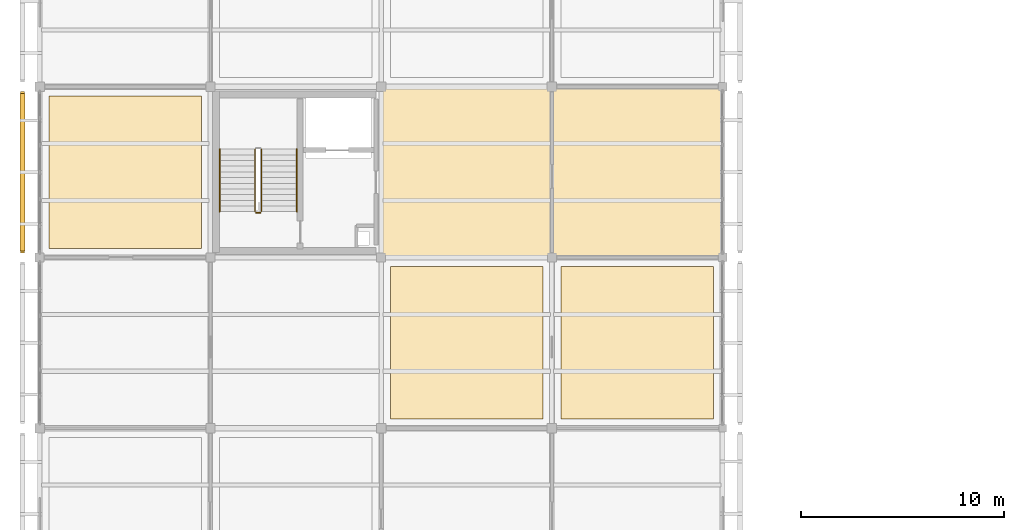
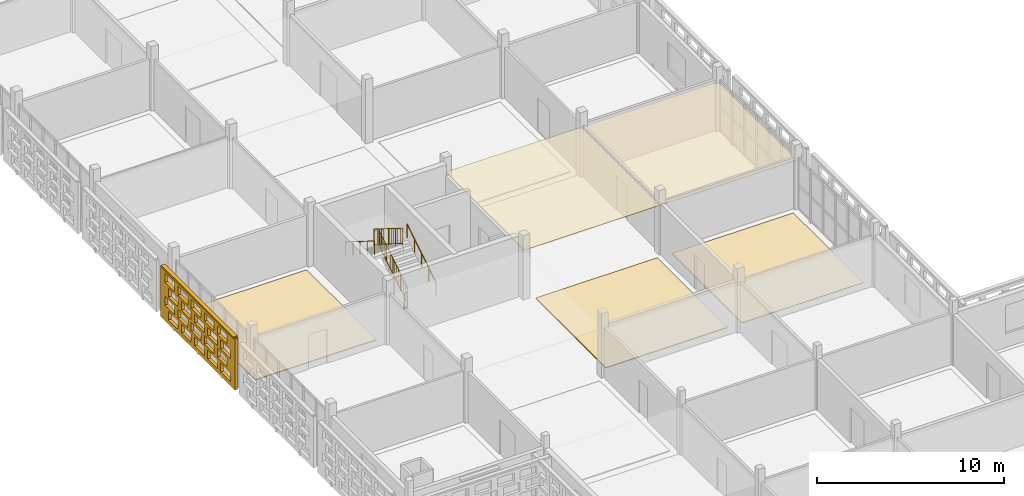
# One storey, part 103 of 140: 6 coverings, 5 railings, 1 shading device, 20 openings.
"""IFC4 building model written with IfcOpenShell, lengths in metres."""

from ifc_helpers import new_model, si_unit, direction, frame, frame_2d, origin, origin_2d, place, context, subcontext, project, spatial, rectangle, circle, extrude, material, layer, layer_set, type_object, element, save


model = new_model("IFC4")

# Units and contexts
model_context = context("Model", 3, precision=1e-05, world=origin(), true_north=direction((0.0, 1.0)))
body_context = subcontext(model_context, "Body", "Model", "MODEL_VIEW")
ifc_project = project(units=[si_unit("LENGTHUNIT", "METRE"), si_unit("AREAUNIT", "SQUARE_METRE"), si_unit("VOLUMEUNIT", "CUBIC_METRE"), si_unit("PLANEANGLEUNIT", "RADIAN"), si_unit("MASSUNIT", "GRAM", prefix="KILO")], contexts=[model_context])

# Site, building, storey
site_placement = place(None, origin())
site = spatial("IfcSite", under=ifc_project, at=site_placement, CompositionType="ELEMENT")
building_placement = place(site_placement, origin())
building = spatial("IfcBuilding", under=site, at=building_placement, Name="Varnapada Polytechnic", CompositionType="ELEMENT")
storey_placement = place(building_placement, frame((0.0, 0.0, 13.800048828125)))
storey = spatial("IfcBuildingStorey", under=building, at=storey_placement, Name="L03", CompositionType="ELEMENT", Elevation=13.800048828125)

# Coverings
ifc_material_1 = material(Name="End-Grain Timber Studio Block Flooring", Category="wood")
ifc_layer_1 = layer(ifc_material_1, 0.054931640625)
ifc_layer_set_1 = layer_set([ifc_layer_1], Name="End-Grain Timber Studio Block Flooring")
covering_type_1 = type_object("IfcCoveringType", Name="Floor Finish FLR-04", PredefinedType="FLOORING", material=ifc_layer_set_1)
for number, where, z_axis, x_axis, name in (
    (1, (4.199951171875, 63.0, 0.0), (0.0, 0.0, 1.0), (1.0, 0.0, 0.0), "L03 floor finish panel (1,8)"),
    (2, (21.0, 54.60009765625, 0.0), (0.0, 0.0, 1.0), (1.0, 0.0, 0.0), "L03 floor finish panel (3,7)"),
):
    element("IfcCovering", number, at=place(storey_placement, frame(where, z_axis=z_axis, x_axis=x_axis)), inside=storey, type_object=covering_type_1, Name=name, PredefinedType="FLOORING", context=body_context, shape_type="SweptSolid", body=[
        extrude(rectangle(XDim=7.5, YDim=7.5, at=origin_2d()), origin(), (0.0, 0.0, 1.0), 0.054931640625),
    ])
ifc_material_2 = material(Name="Acoustic Rubber Seminar Flooring")
ifc_layer_2 = layer(ifc_material_2, 0.0400390625)
ifc_layer_set_2 = layer_set([ifc_layer_2], Name="Acoustic Rubber Seminar Flooring")
covering_type_2 = type_object("IfcCoveringType", Name="Floor Finish FLR-06", PredefinedType="FLOORING", material=ifc_layer_set_2)
covering_1_placement = place(storey_placement, frame((29.39990234375, 54.60009765625, 0.0), z_axis=(0.0, 0.0, 1.0), x_axis=(1.0, 0.0, 0.0)))
element("IfcCovering", 3, at=covering_1_placement, inside=storey, type_object=covering_type_2, Name="L03 floor finish panel (4,7)", PredefinedType="FLOORING", context=body_context, shape_type="SweptSolid", body=[
    extrude(rectangle(XDim=7.5, YDim=7.5, at=origin_2d()), origin(), (0.0, 0.0, 1.0), 0.0400390625),
])

# Railings
ifc_material_3 = material(Name="Brushed Stainless Steel 316", Category="steel")
railing_type_1 = type_object("IfcRailingType", Name="Stair Wall Handrail SHR-01", PredefinedType="HANDRAIL", material=ifc_material_3)
railing_1_placement = place(storey_placement, frame((12.64990234375, 61.050048828125, 0.175048828125)))
element("IfcRailing", 4, at=railing_1_placement, inside=storey, type_object=railing_type_1, Name="L03 ST-2 stair handrail 1", PredefinedType="HANDRAIL", context=body_context, shape_type="SweptSolid", body=[
    extrude(circle(Radius=0.02392578125, at=origin_2d()), frame((0.0, 0.0, 0.8759765625), z_axis=(0.0, 0.848009633417, 0.529980812513), x_axis=(-1.0, 0.0, 0.0)), (0.0, 0.0, 1.0), 3.6318359375),
    extrude(circle(Radius=0.02099609375, at=origin_2d()), origin(), (0.0, 0.0, 1.0), 0.851806640625),
    extrude(circle(Radius=0.02099609375, at=origin_2d()), frame((0.0, 0.77001953125, 0.481201171875)), (0.0, 0.0, 1.0), 0.851806640625),
    extrude(circle(Radius=0.02099609375, at=origin_2d()), frame((0.0, 1.5400390625, 0.96240234375)), (0.0, 0.0, 1.0), 0.851806640625),
    extrude(circle(Radius=0.02099609375, at=origin_2d()), frame((0.0, 2.309814453125, 1.443603515625)), (0.0, 0.0, 1.0), 0.851806640625),
    extrude(circle(Radius=0.02099609375, at=origin_2d()), frame((0.0, 3.079833984375, 1.9248046875)), (0.0, 0.0, 1.0), 0.851806640625),
])
railing_2_placement = place(storey_placement, frame((8.85009765625, 64.1298828125, 2.27490234375)))
element("IfcRailing", 5, at=railing_2_placement, inside=storey, type_object=railing_type_1, Name="L03 ST-2 stair handrail 2", PredefinedType="HANDRAIL", context=body_context, shape_type="SweptSolid", body=[
    extrude(circle(Radius=0.02392578125, at=origin_2d()), frame((0.0, 0.0, 0.8759765625), z_axis=(0.0, -0.847979421464, 0.530029150871), x_axis=(1.0, 0.0, 0.0)), (0.0, 0.0, 1.0), 3.632080078125),
    extrude(circle(Radius=0.02099609375, at=origin_2d()), origin(), (0.0, 0.0, 1.0), 0.851806640625),
    extrude(circle(Radius=0.02099609375, at=origin_2d()), frame((0.0, -0.77001953125, 0.481201171875)), (0.0, 0.0, 1.0), 0.851806640625),
    extrude(circle(Radius=0.02099609375, at=origin_2d()), frame((0.0, -1.5400390625, 0.96240234375)), (0.0, 0.0, 1.0), 0.851806640625),
    extrude(circle(Radius=0.02099609375, at=origin_2d()), frame((0.0, -2.309814453125, 1.44384765625)), (0.0, 0.0, 1.0), 0.851806640625),
    extrude(circle(Radius=0.02099609375, at=origin_2d()), frame((0.0, -3.079833984375, 1.925048828125)), (0.0, 0.0, 1.0), 0.851806640625),
])
railing_type_2 = type_object("IfcRailingType", Name="Stair Well Guard Rail SGR-01", PredefinedType="BALUSTRADE", material=ifc_material_3)
railing_3_placement = place(storey_placement, frame((10.89990234375, 61.050048828125, 0.175048828125)))
element("IfcRailing", 6, at=railing_3_placement, inside=storey, type_object=railing_type_2, Name="L03 ST-2 stair guard 1", PredefinedType="BALUSTRADE", context=body_context, shape_type="SweptSolid", body=[
    extrude(circle(Radius=0.02392578125, at=origin_2d()), frame((0.0, 0.0, 1.09619140625), z_axis=(0.0, 0.848009633417, 0.529980812513), x_axis=(-1.0, 0.0, 0.0)), (0.0, 0.0, 1.0), 3.6318359375),
    extrude(circle(Radius=0.02392578125, at=origin_2d()), frame((0.0, 0.0, 0.10009765625), z_axis=(0.0, 0.848009633417, 0.529980812513), x_axis=(-1.0, 0.0, 0.0)), (0.0, 0.0, 1.0), 3.6318359375),
    extrude(circle(Radius=0.02099609375, at=origin_2d()), origin(), (0.0, 0.0, 1.0), 1.072021484375),
    extrude(circle(Radius=0.02099609375, at=origin_2d()), frame((0.0, 0.77001953125, 0.481201171875)), (0.0, 0.0, 1.0), 1.072021484375),
    extrude(circle(Radius=0.02099609375, at=origin_2d()), frame((0.0, 1.5400390625, 0.96240234375)), (0.0, 0.0, 1.0), 1.072021484375),
    extrude(circle(Radius=0.02099609375, at=origin_2d()), frame((0.0, 2.309814453125, 1.443603515625)), (0.0, 0.0, 1.0), 1.072021484375),
    extrude(circle(Radius=0.02099609375, at=origin_2d()), frame((0.0, 3.079833984375, 1.9248046875)), (0.0, 0.0, 1.0), 1.072021484375),
    extrude(circle(Radius=0.010009765625, at=origin_2d()), frame((0.0, 0.205322265625, 0.228515625)), (0.0, 0.0, 1.0), 0.971923828125),
    extrude(circle(Radius=0.010009765625, at=origin_2d()), frame((0.0, 0.41064453125, 0.356689453125)), (0.0, 0.0, 1.0), 0.971923828125),
    extrude(circle(Radius=0.010009765625, at=origin_2d()), frame((0.0, 0.615966796875, 0.485107421875)), (0.0, 0.0, 1.0), 0.971923828125),
    extrude(circle(Radius=0.010009765625, at=origin_2d()), frame((0.0, 0.8212890625, 0.61328125)), (0.0, 0.0, 1.0), 0.971923828125),
    extrude(circle(Radius=0.010009765625, at=origin_2d()), frame((0.0, 1.026611328125, 0.74169921875)), (0.0, 0.0, 1.0), 0.971923828125),
    extrude(circle(Radius=0.010009765625, at=origin_2d()), frame((0.0, 1.23193359375, 0.8701171875)), (0.0, 0.0, 1.0), 0.971923828125),
    extrude(circle(Radius=0.010009765625, at=origin_2d()), frame((0.0, 1.437255859375, 0.998291015625)), (0.0, 0.0, 1.0), 0.971923828125),
    extrude(circle(Radius=0.010009765625, at=origin_2d()), frame((0.0, 1.642578125, 1.126708984375)), (0.0, 0.0, 1.0), 0.971923828125),
    extrude(circle(Radius=0.010009765625, at=origin_2d()), frame((0.0, 1.847900390625, 1.2548828125)), (0.0, 0.0, 1.0), 0.971923828125),
    extrude(circle(Radius=0.010009765625, at=origin_2d()), frame((0.0, 2.05322265625, 1.38330078125)), (0.0, 0.0, 1.0), 0.971923828125),
    extrude(circle(Radius=0.010009765625, at=origin_2d()), frame((0.0, 2.258544921875, 1.51171875)), (0.0, 0.0, 1.0), 0.971923828125),
    extrude(circle(Radius=0.010009765625, at=origin_2d()), frame((0.0, 2.4638671875, 1.639892578125)), (0.0, 0.0, 1.0), 0.971923828125),
    extrude(circle(Radius=0.010009765625, at=origin_2d()), frame((0.0, 2.669189453125, 1.768310546875)), (0.0, 0.0, 1.0), 0.971923828125),
    extrude(circle(Radius=0.010009765625, at=origin_2d()), frame((0.0, 2.87451171875, 1.896484375)), (0.0, 0.0, 1.0), 0.971923828125),
])
railing_4_placement = place(storey_placement, frame((10.60009765625, 64.1298828125, 2.27490234375)))
element("IfcRailing", 7, at=railing_4_placement, inside=storey, type_object=railing_type_2, Name="L03 ST-2 stair guard 3", PredefinedType="BALUSTRADE", context=body_context, shape_type="SweptSolid", body=[
    extrude(circle(Radius=0.02392578125, at=origin_2d()), frame((0.0, 0.0, 1.09619140625), z_axis=(0.0, -0.847979421464, 0.530029150871), x_axis=(1.0, 0.0, 0.0)), (0.0, 0.0, 1.0), 3.632080078125),
    extrude(circle(Radius=0.02392578125, at=origin_2d()), frame((0.0, 0.0, 0.10009765625), z_axis=(0.0, -0.847979421464, 0.530029150871), x_axis=(1.0, 0.0, 0.0)), (0.0, 0.0, 1.0), 3.632080078125),
    extrude(circle(Radius=0.02099609375, at=origin_2d()), origin(), (0.0, 0.0, 1.0), 1.072021484375),
    extrude(circle(Radius=0.02099609375, at=origin_2d()), frame((0.0, -0.77001953125, 0.481201171875)), (0.0, 0.0, 1.0), 1.072021484375),
    extrude(circle(Radius=0.02099609375, at=origin_2d()), frame((0.0, -1.5400390625, 0.96240234375)), (0.0, 0.0, 1.0), 1.072021484375),
    extrude(circle(Radius=0.02099609375, at=origin_2d()), frame((0.0, -2.309814453125, 1.44384765625)), (0.0, 0.0, 1.0), 1.072021484375),
    extrude(circle(Radius=0.02099609375, at=origin_2d()), frame((0.0, -3.079833984375, 1.925048828125)), (0.0, 0.0, 1.0), 1.072021484375),
    extrude(circle(Radius=0.010009765625, at=origin_2d()), frame((0.0, -0.205322265625, 0.228515625)), (0.0, 0.0, 1.0), 0.971923828125),
    extrude(circle(Radius=0.010009765625, at=origin_2d()), frame((0.0, -0.41064453125, 0.356689453125)), (0.0, 0.0, 1.0), 0.971923828125),
    extrude(circle(Radius=0.010009765625, at=origin_2d()), frame((0.0, -0.615966796875, 0.485107421875)), (0.0, 0.0, 1.0), 0.971923828125),
    extrude(circle(Radius=0.010009765625, at=origin_2d()), frame((0.0, -0.8212890625, 0.613525390625)), (0.0, 0.0, 1.0), 0.971923828125),
    extrude(circle(Radius=0.010009765625, at=origin_2d()), frame((0.0, -1.026611328125, 0.74169921875)), (0.0, 0.0, 1.0), 0.971923828125),
    extrude(circle(Radius=0.010009765625, at=origin_2d()), frame((0.0, -1.23193359375, 0.8701171875)), (0.0, 0.0, 1.0), 0.971923828125),
    extrude(circle(Radius=0.010009765625, at=origin_2d()), frame((0.0, -1.437255859375, 0.99853515625)), (0.0, 0.0, 1.0), 0.971923828125),
    extrude(circle(Radius=0.010009765625, at=origin_2d()), frame((0.0, -1.642578125, 1.126708984375)), (0.0, 0.0, 1.0), 0.971923828125),
    extrude(circle(Radius=0.010009765625, at=origin_2d()), frame((0.0, -1.847900390625, 1.255126953125)), (0.0, 0.0, 1.0), 0.971923828125),
    extrude(circle(Radius=0.010009765625, at=origin_2d()), frame((0.0, -2.05322265625, 1.383544921875)), (0.0, 0.0, 1.0), 0.971923828125),
    extrude(circle(Radius=0.010009765625, at=origin_2d()), frame((0.0, -2.258544921875, 1.51171875)), (0.0, 0.0, 1.0), 0.971923828125),
    extrude(circle(Radius=0.010009765625, at=origin_2d()), frame((0.0, -2.4638671875, 1.64013671875)), (0.0, 0.0, 1.0), 0.971923828125),
    extrude(circle(Radius=0.010009765625, at=origin_2d()), frame((0.0, -2.669189453125, 1.7685546875)), (0.0, 0.0, 1.0), 0.971923828125),
    extrude(circle(Radius=0.010009765625, at=origin_2d()), frame((0.0, -2.87451171875, 1.896728515625)), (0.0, 0.0, 1.0), 0.971923828125),
])
railing_5_placement = place(storey_placement, frame((10.85009765625, 61.0, 0.0)))
element("IfcRailing", 8, at=railing_5_placement, inside=storey, type_object=railing_type_2, Name="L03 ST-2 stair guard 4", PredefinedType="BALUSTRADE", context=body_context, shape_type="SweptSolid", body=[
    extrude(circle(Radius=0.02392578125, at=origin_2d()), frame((0.0, 0.0, 1.09619140625), z_axis=(-1.0, 0.0, 0.0), x_axis=(0.0, -1.0, 0.0)), (0.0, 0.0, 1.0), 0.2001953125),
    extrude(circle(Radius=0.02392578125, at=origin_2d()), frame((0.0, 0.0, 0.10009765625), z_axis=(-1.0, 0.0, 0.0), x_axis=(0.0, -1.0, 0.0)), (0.0, 0.0, 1.0), 0.2001953125),
    extrude(circle(Radius=0.02099609375, at=origin_2d()), origin(), (0.0, 0.0, 1.0), 1.072021484375),
    extrude(circle(Radius=0.02099609375, at=origin_2d()), frame((-0.2001953125, 0.0, 0.0)), (0.0, 0.0, 1.0), 1.072021484375),
])

# Coverings
ifc_material_4 = material(Name="Mineral Fibre Acoustic Ceiling Tile")
ifc_layer_3 = layer(ifc_material_4, 0.0400390625)
ifc_layer_set_3 = layer_set([ifc_layer_3], Name="Mineral Fibre Acoustic Ceiling Tile")
covering_type_3 = type_object("IfcCoveringType", Name="Suspended Ceiling CLG-01", PredefinedType="CEILING", material=ifc_layer_set_3)
for number, where, z_axis, x_axis, name in (
    (9, (21.0, 63.0, 3.030029296875), (0.0, 0.0, 1.0), (1.0, 0.0, 0.0), "L03 suspended acoustic ceiling (3,8)"),
    (10, (29.39990234375, 63.0, 3.030029296875), (0.0, 0.0, 1.0), (1.0, 0.0, 0.0), "L03 suspended acoustic ceiling (4,8)"),
):
    element("IfcCovering", number, at=place(storey_placement, frame(where, z_axis=z_axis, x_axis=x_axis)), inside=storey, type_object=covering_type_3, Name=name, PredefinedType="CEILING", context=body_context, shape_type="SweptSolid", body=[
        extrude(rectangle(XDim=8.419921875, YDim=8.419921875, at=origin_2d()), origin(), (0.0, 0.0, 1.0), 0.0400390625),
    ])

# Covering, openings
ifc_material_5 = material(Name="Earth-toned architectural terracotta screen block", Category="masonry")
ifc_layer_4 = layer(ifc_material_5, 0.1201171875)
ifc_layer_set_4 = layer_set([ifc_layer_4], Name="Earth-toned architectural terracotta screen block")
covering_type_4 = type_object("IfcCoveringType", Name="Terracotta Screen Cladding CLD-01", PredefinedType="CLADDING", material=ifc_layer_set_4)
covering_2_placement = place(storey_placement, frame((-0.85009765625, 59.02001953125, 0.0), z_axis=(0.0, 0.0, 1.0), x_axis=(0.0, 1.0, 0.0)))
covering_2 = element("IfcCovering", 11, at=covering_2_placement, inside=storey, type_object=covering_type_4, Name="L03 perforated terracotta block screen (4)", PredefinedType="CLADDING", context=body_context, shape_type="SweptSolid", body=[
    extrude(rectangle(XDim=7.949951171875, YDim=0.179931640625, at=frame_2d((3.97509765625, 0.0))), origin(), (0.0, 0.0, 1.0), 3.320068359375),
])
opening_1_placement = place(covering_2_placement, frame((0.47509765625, 0.0, 0.265625)))
element("IfcOpeningElement", 12, at=opening_1_placement, cuts=covering_2, Name="Screen perforation TBS-L03-003.1", PredefinedType="OPENING", context=body_context, shape_type="SweptSolid", body=[
    extrude(rectangle(XDim=1.0400390625, YDim=0.5810546875, at=frame_2d((0.52001953125, 0.29052734375))), frame((0.0, 0.099853515625, 0.0), z_axis=(0.0, -1.0, 0.0), x_axis=(1.0, 0.0, 0.0)), (0.0, 0.0, 1.0), 0.199951171875),
])
opening_2_placement = place(covering_2_placement, frame((1.875, 0.0, 0.265625)))
element("IfcOpeningElement", 13, at=opening_2_placement, cuts=covering_2, Name="Screen perforation TBS-L03-003.2", PredefinedType="OPENING", context=body_context, shape_type="SweptSolid", body=[
    extrude(rectangle(XDim=1.0400390625, YDim=0.5810546875, at=frame_2d((0.52001953125, 0.29052734375))), frame((0.0, 0.099853515625, 0.0), z_axis=(0.0, -1.0, 0.0), x_axis=(1.0, 0.0, 0.0)), (0.0, 0.0, 1.0), 0.199951171875),
])
opening_3_placement = place(covering_2_placement, frame((3.27490234375, 0.0, 0.265625)))
element("IfcOpeningElement", 14, at=opening_3_placement, cuts=covering_2, Name="Screen perforation TBS-L03-003.3", PredefinedType="OPENING", context=body_context, shape_type="SweptSolid", body=[
    extrude(rectangle(XDim=1.0400390625, YDim=0.5810546875, at=frame_2d((0.52001953125, 0.29052734375))), frame((0.0, 0.099853515625, 0.0), z_axis=(0.0, -1.0, 0.0), x_axis=(1.0, 0.0, 0.0)), (0.0, 0.0, 1.0), 0.199951171875),
])
opening_4_placement = place(covering_2_placement, frame((4.675048828125, 0.0, 0.265625)))
element("IfcOpeningElement", 15, at=opening_4_placement, cuts=covering_2, Name="Screen perforation TBS-L03-003.4", PredefinedType="OPENING", context=body_context, shape_type="SweptSolid", body=[
    extrude(rectangle(XDim=1.0400390625, YDim=0.5810546875, at=frame_2d((0.52001953125, 0.29052734375))), frame((0.0, 0.099853515625, 0.0), z_axis=(0.0, -1.0, 0.0), x_axis=(1.0, 0.0, 0.0)), (0.0, 0.0, 1.0), 0.199951171875),
])
opening_5_placement = place(covering_2_placement, frame((6.074951171875, 0.0, 0.265625)))
element("IfcOpeningElement", 16, at=opening_5_placement, cuts=covering_2, Name="Screen perforation TBS-L03-003.5", PredefinedType="OPENING", context=body_context, shape_type="SweptSolid", body=[
    extrude(rectangle(XDim=1.0400390625, YDim=0.5810546875, at=frame_2d((0.52001953125, 0.29052734375))), frame((0.0, 0.099853515625, 0.0), z_axis=(0.0, -1.0, 0.0), x_axis=(1.0, 0.0, 0.0)), (0.0, 0.0, 1.0), 0.199951171875),
])
opening_6_placement = place(covering_2_placement, frame((0.8349609375, 0.0, 1.0126953125)))
element("IfcOpeningElement", 17, at=opening_6_placement, cuts=covering_2, Name="Screen perforation TBS-L03-003.6", PredefinedType="OPENING", context=body_context, shape_type="SweptSolid", body=[
    extrude(rectangle(XDim=1.0400390625, YDim=0.5810546875, at=frame_2d((0.52001953125, 0.29052734375))), frame((0.0, 0.099853515625, 0.0), z_axis=(0.0, -1.0, 0.0), x_axis=(1.0, 0.0, 0.0)), (0.0, 0.0, 1.0), 0.199951171875),
])
opening_7_placement = place(covering_2_placement, frame((2.235107421875, 0.0, 1.0126953125)))
element("IfcOpeningElement", 18, at=opening_7_placement, cuts=covering_2, Name="Screen perforation TBS-L03-003.7", PredefinedType="OPENING", context=body_context, shape_type="SweptSolid", body=[
    extrude(rectangle(XDim=1.0400390625, YDim=0.5810546875, at=frame_2d((0.52001953125, 0.29052734375))), frame((0.0, 0.099853515625, 0.0), z_axis=(0.0, -1.0, 0.0), x_axis=(1.0, 0.0, 0.0)), (0.0, 0.0, 1.0), 0.199951171875),
])
opening_8_placement = place(covering_2_placement, frame((3.635009765625, 0.0, 1.0126953125)))
element("IfcOpeningElement", 19, at=opening_8_placement, cuts=covering_2, Name="Screen perforation TBS-L03-003.8", PredefinedType="OPENING", context=body_context, shape_type="SweptSolid", body=[
    extrude(rectangle(XDim=1.0400390625, YDim=0.5810546875, at=frame_2d((0.52001953125, 0.29052734375))), frame((0.0, 0.099853515625, 0.0), z_axis=(0.0, -1.0, 0.0), x_axis=(1.0, 0.0, 0.0)), (0.0, 0.0, 1.0), 0.199951171875),
])
opening_9_placement = place(covering_2_placement, frame((5.034912109375, 0.0, 1.0126953125)))
element("IfcOpeningElement", 20, at=opening_9_placement, cuts=covering_2, Name="Screen perforation TBS-L03-003.9", PredefinedType="OPENING", context=body_context, shape_type="SweptSolid", body=[
    extrude(rectangle(XDim=1.0400390625, YDim=0.5810546875, at=frame_2d((0.52001953125, 0.29052734375))), frame((0.0, 0.099853515625, 0.0), z_axis=(0.0, -1.0, 0.0), x_axis=(1.0, 0.0, 0.0)), (0.0, 0.0, 1.0), 0.199951171875),
])
opening_10_placement = place(covering_2_placement, frame((6.43505859375, 0.0, 1.0126953125)))
element("IfcOpeningElement", 21, at=opening_10_placement, cuts=covering_2, Name="Screen perforation TBS-L03-003.10", PredefinedType="OPENING", context=body_context, shape_type="SweptSolid", body=[
    extrude(rectangle(XDim=1.0400390625, YDim=0.5810546875, at=frame_2d((0.52001953125, 0.29052734375))), frame((0.0, 0.099853515625, 0.0), z_axis=(0.0, -1.0, 0.0), x_axis=(1.0, 0.0, 0.0)), (0.0, 0.0, 1.0), 0.199951171875),
])
opening_11_placement = place(covering_2_placement, frame((0.47509765625, 0.0, 1.759521484375)))
element("IfcOpeningElement", 22, at=opening_11_placement, cuts=covering_2, Name="Screen perforation TBS-L03-003.11", PredefinedType="OPENING", context=body_context, shape_type="SweptSolid", body=[
    extrude(rectangle(XDim=1.0400390625, YDim=0.5810546875, at=frame_2d((0.52001953125, 0.29052734375))), frame((0.0, 0.099853515625, 0.0), z_axis=(0.0, -1.0, 0.0), x_axis=(1.0, 0.0, 0.0)), (0.0, 0.0, 1.0), 0.199951171875),
])
opening_12_placement = place(covering_2_placement, frame((1.875, 0.0, 1.759521484375)))
element("IfcOpeningElement", 23, at=opening_12_placement, cuts=covering_2, Name="Screen perforation TBS-L03-003.12", PredefinedType="OPENING", context=body_context, shape_type="SweptSolid", body=[
    extrude(rectangle(XDim=1.0400390625, YDim=0.5810546875, at=frame_2d((0.52001953125, 0.29052734375))), frame((0.0, 0.099853515625, 0.0), z_axis=(0.0, -1.0, 0.0), x_axis=(1.0, 0.0, 0.0)), (0.0, 0.0, 1.0), 0.199951171875),
])
opening_13_placement = place(covering_2_placement, frame((3.27490234375, 0.0, 1.759521484375)))
element("IfcOpeningElement", 24, at=opening_13_placement, cuts=covering_2, Name="Screen perforation TBS-L03-003.13", PredefinedType="OPENING", context=body_context, shape_type="SweptSolid", body=[
    extrude(rectangle(XDim=1.0400390625, YDim=0.5810546875, at=frame_2d((0.52001953125, 0.29052734375))), frame((0.0, 0.099853515625, 0.0), z_axis=(0.0, -1.0, 0.0), x_axis=(1.0, 0.0, 0.0)), (0.0, 0.0, 1.0), 0.199951171875),
])
opening_14_placement = place(covering_2_placement, frame((4.675048828125, 0.0, 1.759521484375)))
element("IfcOpeningElement", 25, at=opening_14_placement, cuts=covering_2, Name="Screen perforation TBS-L03-003.14", PredefinedType="OPENING", context=body_context, shape_type="SweptSolid", body=[
    extrude(rectangle(XDim=1.0400390625, YDim=0.5810546875, at=frame_2d((0.52001953125, 0.29052734375))), frame((0.0, 0.099853515625, 0.0), z_axis=(0.0, -1.0, 0.0), x_axis=(1.0, 0.0, 0.0)), (0.0, 0.0, 1.0), 0.199951171875),
])
opening_15_placement = place(covering_2_placement, frame((6.074951171875, 0.0, 1.759521484375)))
element("IfcOpeningElement", 26, at=opening_15_placement, cuts=covering_2, Name="Screen perforation TBS-L03-003.15", PredefinedType="OPENING", context=body_context, shape_type="SweptSolid", body=[
    extrude(rectangle(XDim=1.0400390625, YDim=0.5810546875, at=frame_2d((0.52001953125, 0.29052734375))), frame((0.0, 0.099853515625, 0.0), z_axis=(0.0, -1.0, 0.0), x_axis=(1.0, 0.0, 0.0)), (0.0, 0.0, 1.0), 0.199951171875),
])
opening_16_placement = place(covering_2_placement, frame((0.8349609375, 0.0, 2.506591796875)))
element("IfcOpeningElement", 27, at=opening_16_placement, cuts=covering_2, Name="Screen perforation TBS-L03-003.16", PredefinedType="OPENING", context=body_context, shape_type="SweptSolid", body=[
    extrude(rectangle(XDim=1.0400390625, YDim=0.5810546875, at=frame_2d((0.52001953125, 0.29052734375))), frame((0.0, 0.099853515625, 0.0), z_axis=(0.0, -1.0, 0.0), x_axis=(1.0, 0.0, 0.0)), (0.0, 0.0, 1.0), 0.199951171875),
])
opening_17_placement = place(covering_2_placement, frame((2.235107421875, 0.0, 2.506591796875)))
element("IfcOpeningElement", 28, at=opening_17_placement, cuts=covering_2, Name="Screen perforation TBS-L03-003.17", PredefinedType="OPENING", context=body_context, shape_type="SweptSolid", body=[
    extrude(rectangle(XDim=1.0400390625, YDim=0.5810546875, at=frame_2d((0.52001953125, 0.29052734375))), frame((0.0, 0.099853515625, 0.0), z_axis=(0.0, -1.0, 0.0), x_axis=(1.0, 0.0, 0.0)), (0.0, 0.0, 1.0), 0.199951171875),
])
opening_18_placement = place(covering_2_placement, frame((3.635009765625, 0.0, 2.506591796875)))
element("IfcOpeningElement", 29, at=opening_18_placement, cuts=covering_2, Name="Screen perforation TBS-L03-003.18", PredefinedType="OPENING", context=body_context, shape_type="SweptSolid", body=[
    extrude(rectangle(XDim=1.0400390625, YDim=0.5810546875, at=frame_2d((0.52001953125, 0.29052734375))), frame((0.0, 0.099853515625, 0.0), z_axis=(0.0, -1.0, 0.0), x_axis=(1.0, 0.0, 0.0)), (0.0, 0.0, 1.0), 0.199951171875),
])
opening_19_placement = place(covering_2_placement, frame((5.034912109375, 0.0, 2.506591796875)))
element("IfcOpeningElement", 30, at=opening_19_placement, cuts=covering_2, Name="Screen perforation TBS-L03-003.19", PredefinedType="OPENING", context=body_context, shape_type="SweptSolid", body=[
    extrude(rectangle(XDim=1.0400390625, YDim=0.5810546875, at=frame_2d((0.52001953125, 0.29052734375))), frame((0.0, 0.099853515625, 0.0), z_axis=(0.0, -1.0, 0.0), x_axis=(1.0, 0.0, 0.0)), (0.0, 0.0, 1.0), 0.199951171875),
])
opening_20_placement = place(covering_2_placement, frame((6.43505859375, 0.0, 2.506591796875)))
element("IfcOpeningElement", 31, at=opening_20_placement, cuts=covering_2, Name="Screen perforation TBS-L03-003.20", PredefinedType="OPENING", context=body_context, shape_type="SweptSolid", body=[
    extrude(rectangle(XDim=1.0400390625, YDim=0.5810546875, at=frame_2d((0.52001953125, 0.29052734375))), frame((0.0, 0.099853515625, 0.0), z_axis=(0.0, -1.0, 0.0), x_axis=(1.0, 0.0, 0.0)), (0.0, 0.0, 1.0), 0.199951171875),
])

# Shading device
ifc_layer_5 = layer(ifc_material_5, 0.179931640625)
ifc_layer_set_5 = layer_set([ifc_layer_5], Name="Earth-toned architectural terracotta screen block")
shading_device_type = type_object("IfcShadingDeviceType", Name="Terracotta Screen SCR-01", PredefinedType="USERDEFINED", material=ifc_layer_set_5)
shading_device_placement = place(storey_placement, frame((-0.85009765625, 62.9951171875, 3.309814453125), z_axis=(0.0, 0.0, 1.0), x_axis=(0.0, 1.0, 0.0)))
element("IfcShadingDevice", 32, at=shading_device_placement, inside=storey, type_object=shading_device_type, Name="L03 perforated terracotta screen hood 339", ObjectType="SCREEN", PredefinedType="USERDEFINED", context=body_context, shape_type="SweptSolid", body=[
    extrude(rectangle(XDim=7.75, YDim=0.239990234375, at=origin_2d()), origin(), (0.0, 0.0, 1.0), 0.10009765625),
])

save(model, "model.ifc")
